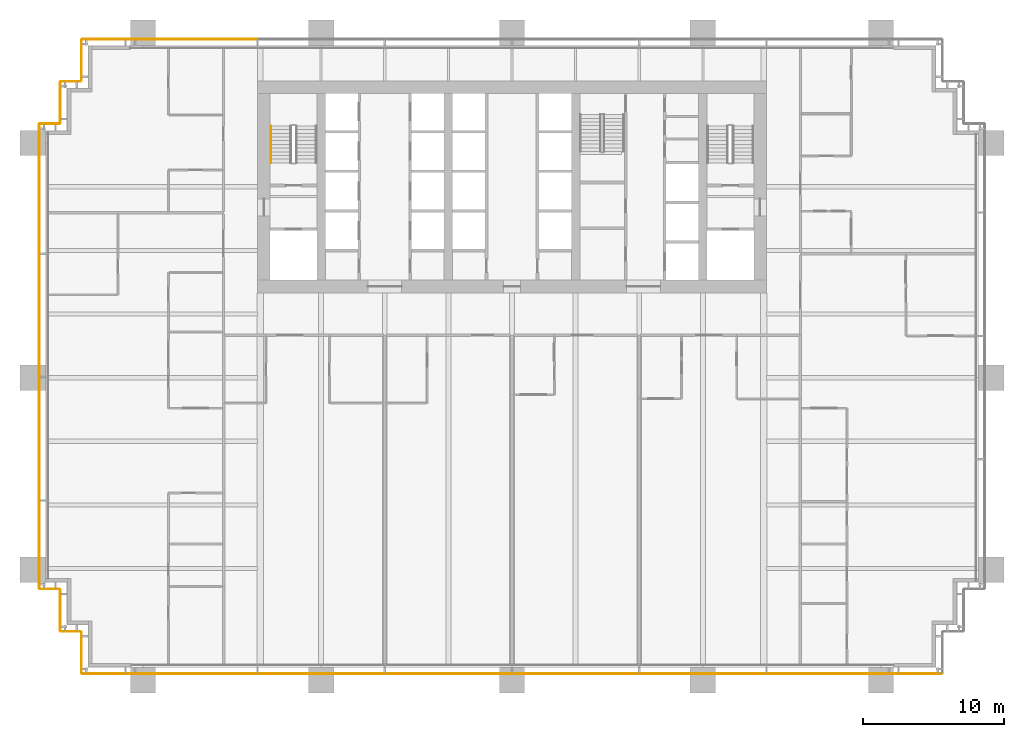
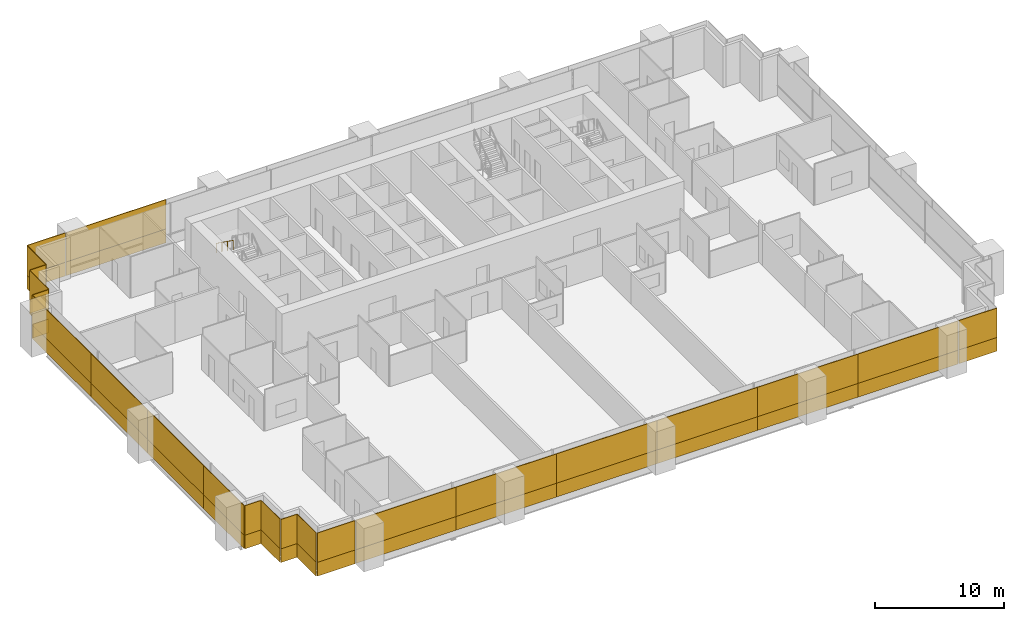
# One storey, part 18 of 20: 44 coverings, 1 railing.
"""IFC4 building model written with IfcOpenShell, lengths in metres."""

from ifc_helpers import new_model, si_unit, direction, frame, origin, origin_2d, place, context, subcontext, project, spatial, rectangle, extrude, material, layer, layer_set, type_object, element, save


model = new_model("IFC4")

# Units and contexts
model_context = context("Model", 3, precision=1e-05, world=origin(), true_north=direction((0.0, 1.0)))
body_context = subcontext(model_context, "Body", "Model", "MODEL_VIEW")
ifc_project = project(units=[si_unit("LENGTHUNIT", "METRE"), si_unit("AREAUNIT", "SQUARE_METRE"), si_unit("VOLUMEUNIT", "CUBIC_METRE"), si_unit("PLANEANGLEUNIT", "RADIAN"), si_unit("MASSUNIT", "GRAM", prefix="KILO")], contexts=[model_context])

# Site, building, storey
site_placement = place(None, origin())
site = spatial("IfcSite", under=ifc_project, at=site_placement, CompositionType="ELEMENT")
building_placement = place(site_placement, origin())
building = spatial("IfcBuilding", under=site, at=building_placement, Name="Rattan Terrace Tower", CompositionType="ELEMENT")
storey_placement = place(building_placement, frame((0.0, 0.0, 40.60009765625)))
storey = spatial("IfcBuildingStorey", under=building, at=storey_placement, Name="L08", CompositionType="ELEMENT", Elevation=40.60009765625)

# Railing
ifc_material_1 = material(Name="Powder-coated steel handrail", Category="steel")
railing_type = type_object("IfcRailingType", Name="Core stair handrail", PredefinedType="HANDRAIL", material=ifc_material_1)
railing_placement = place(storey_placement, frame((-17.050048828125, 4.300048828125, 2.236328125)))
element("IfcRailing", 1, at=railing_placement, inside=storey, type_object=railing_type, Name="L08 S1 stair handrail 2", PredefinedType="HANDRAIL", context=body_context, shape_type="SweptSolid", body=[
    extrude(rectangle(XDim=0.048095703125, YDim=0.048095703125, at=origin_2d()), frame((0.0, 0.0, 0.8759765625), z_axis=(0.0, -0.812799059333, 0.582544152102), x_axis=(1.0, 0.0, 0.0)), (0.0, 0.0, 1.0), 3.198974609375),
    extrude(rectangle(XDim=0.0419921875, YDim=0.0419921875, at=origin_2d()), origin(), (0.0, 0.0, 1.0), 0.851806640625),
    extrude(rectangle(XDim=0.0419921875, YDim=0.0419921875, at=origin_2d()), frame((0.0, -0.86669921875, 0.62109375)), (0.0, 0.0, 1.0), 0.851806640625),
    extrude(rectangle(XDim=0.0419921875, YDim=0.0419921875, at=origin_2d()), frame((0.0, -1.7333984375, 1.242431640625)), (0.0, 0.0, 1.0), 0.851806640625),
    extrude(rectangle(XDim=0.0419921875, YDim=0.0419921875, at=origin_2d()), frame((0.0, -2.60009765625, 1.863525390625)), (0.0, 0.0, 1.0), 0.851806640625),
])

# Coverings
ifc_material_2 = material(Name="Solid terracotta", Category="masonry")
ifc_layer_1 = layer(ifc_material_2, 0.06005859375)
ifc_layer_set_1 = layer_set([ifc_layer_1], Name="Facade Terracotta Band Panel")
covering_type_1 = type_object("IfcCoveringType", Name="Facade Terracotta Band Panel", PredefinedType="CLADDING", material=ifc_layer_set_1)
covering_1_placement = place(storey_placement, frame((28.72509765625, -34.449951171875, -0.18994140625), z_axis=(0.0, 0.0, 1.0), x_axis=(1.0, 0.0, 0.0)))
element("IfcCovering", 2, at=covering_1_placement, inside=storey, type_object=covering_type_1, Name="OUTER SKIN panel L08-1A", PredefinedType="CLADDING", context=body_context, shape_type="SweptSolid", body=[
    extrude(rectangle(XDim=3.3701171875, YDim=0.06005859375, at=origin_2d()), origin(), (0.0, 0.0, 1.0), 1.300048828125),
])
covering_2_placement = place(storey_placement, frame((-22.485107421875, 10.449951171875, -0.18994140625), z_axis=(0.0, 0.0, 1.0), x_axis=(-1.0, 0.0, 0.0)))
element("IfcCovering", 3, at=covering_2_placement, inside=storey, type_object=covering_type_1, Name="OUTER SKIN panel L08-20A", PredefinedType="CLADDING", context=body_context, shape_type="SweptSolid", body=[
    extrude(rectangle(XDim=8.949951171875, YDim=0.06005859375, at=origin_2d()), origin(), (0.0, 0.0, 1.0), 1.300048828125),
])
covering_3_placement = place(storey_placement, frame((-28.72509765625, 10.449951171875, -0.18994140625), z_axis=(0.0, 0.0, 1.0), x_axis=(-1.0, 0.0, 0.0)))
element("IfcCovering", 4, at=covering_3_placement, inside=storey, type_object=covering_type_1, Name="OUTER SKIN panel L08-21A", PredefinedType="CLADDING", context=body_context, shape_type="SweptSolid", body=[
    extrude(rectangle(XDim=3.3701171875, YDim=0.06005859375, at=origin_2d()), origin(), (0.0, 0.0, 1.0), 1.300048828125),
])
covering_4_placement = place(storey_placement, frame((-30.449951171875, 8.949951171875, -0.18994140625), z_axis=(0.0, 0.0, 1.0), x_axis=(0.0, -1.0, 0.0)))
element("IfcCovering", 5, at=covering_4_placement, inside=storey, type_object=covering_type_1, Name="OUTER SKIN panel L08-22A", PredefinedType="CLADDING", context=body_context, shape_type="SweptSolid", body=[
    extrude(rectangle(XDim=2.919921875, YDim=0.06005859375, at=origin_2d()), origin(), (0.0, 0.0, 1.0), 1.300048828125),
])
covering_5_placement = place(storey_placement, frame((-31.199951171875, 7.449951171875, -0.18994140625), z_axis=(0.0, 0.0, 1.0), x_axis=(-1.0, 0.0, 0.0)))
element("IfcCovering", 6, at=covering_5_placement, inside=storey, type_object=covering_type_1, Name="OUTER SKIN panel L08-23A", PredefinedType="CLADDING", context=body_context, shape_type="SweptSolid", body=[
    extrude(rectangle(XDim=1.419921875, YDim=0.06005859375, at=origin_2d()), origin(), (0.0, 0.0, 1.0), 1.300048828125),
])
covering_6_placement = place(storey_placement, frame((-31.949951171875, 5.949951171875, -0.18994140625), z_axis=(0.0, 0.0, 1.0), x_axis=(0.0, -1.0, 0.0)))
element("IfcCovering", 7, at=covering_6_placement, inside=storey, type_object=covering_type_1, Name="OUTER SKIN panel L08-24A", PredefinedType="CLADDING", context=body_context, shape_type="SweptSolid", body=[
    extrude(rectangle(XDim=2.919921875, YDim=0.06005859375, at=origin_2d()), origin(), (0.0, 0.0, 1.0), 1.300048828125),
])
covering_7_placement = place(storey_placement, frame((-32.699951171875, 4.449951171875, -0.18994140625), z_axis=(0.0, 0.0, 1.0), x_axis=(-1.0, 0.0, 0.0)))
element("IfcCovering", 8, at=covering_7_placement, inside=storey, type_object=covering_type_1, Name="OUTER SKIN panel L08-25A", PredefinedType="CLADDING", context=body_context, shape_type="SweptSolid", body=[
    extrude(rectangle(XDim=1.419921875, YDim=0.06005859375, at=origin_2d()), origin(), (0.0, 0.0, 1.0), 1.300048828125),
])
covering_8_placement = place(storey_placement, frame((-33.449951171875, -0.153564453125, -0.18994140625), z_axis=(0.0, 0.0, 1.0), x_axis=(0.0, -1.0, 0.0)))
element("IfcCovering", 9, at=covering_8_placement, inside=storey, type_object=covering_type_1, Name="OUTER SKIN panel L08-26A", PredefinedType="CLADDING", context=body_context, shape_type="SweptSolid", body=[
    extrude(rectangle(XDim=9.126953125, YDim=0.06005859375, at=origin_2d()), origin(), (0.0, 0.0, 1.0), 1.300048828125),
])
for number, where, z_axis, x_axis, name in (
    (10, (-33.449951171875, -9.090576171875, -0.18994140625), (0.0, 0.0, 1.0), (0.0, -1.0, 0.0), "OUTER SKIN panel L08-27A"),
    (11, (-33.449951171875, -17.8173828125, -0.18994140625), (0.0, 0.0, 1.0), (0.0, -1.0, 0.0), "OUTER SKIN panel L08-28A"),
):
    element("IfcCovering", number, at=place(storey_placement, frame(where, z_axis=z_axis, x_axis=x_axis)), inside=storey, type_object=covering_type_1, Name=name, PredefinedType="CLADDING", context=body_context, shape_type="SweptSolid", body=[
        extrude(rectangle(XDim=8.70703125, YDim=0.06005859375, at=origin_2d()), origin(), (0.0, 0.0, 1.0), 1.300048828125),
    ])
covering_9_placement = place(storey_placement, frame((-33.449951171875, -25.300537109375, -0.18994140625), z_axis=(0.0, 0.0, 1.0), x_axis=(0.0, -1.0, 0.0)))
element("IfcCovering", 12, at=covering_9_placement, inside=storey, type_object=covering_type_1, Name="OUTER SKIN panel L08-29A", PredefinedType="CLADDING", context=body_context, shape_type="SweptSolid", body=[
    extrude(rectangle(XDim=6.218994140625, YDim=0.06005859375, at=origin_2d()), origin(), (0.0, 0.0, 1.0), 1.300048828125),
])
covering_10_placement = place(storey_placement, frame((-32.699951171875, -28.449951171875, -0.18994140625), z_axis=(0.0, 0.0, 1.0), x_axis=(1.0, 0.0, 0.0)))
element("IfcCovering", 13, at=covering_10_placement, inside=storey, type_object=covering_type_1, Name="OUTER SKIN panel L08-30A", PredefinedType="CLADDING", context=body_context, shape_type="SweptSolid", body=[
    extrude(rectangle(XDim=1.419921875, YDim=0.06005859375, at=origin_2d()), origin(), (0.0, 0.0, 1.0), 1.300048828125),
])
covering_11_placement = place(storey_placement, frame((-31.949951171875, -29.949951171875, -0.18994140625), z_axis=(0.0, 0.0, 1.0), x_axis=(0.0, -1.0, 0.0)))
element("IfcCovering", 14, at=covering_11_placement, inside=storey, type_object=covering_type_1, Name="OUTER SKIN panel L08-31A", PredefinedType="CLADDING", context=body_context, shape_type="SweptSolid", body=[
    extrude(rectangle(XDim=2.919921875, YDim=0.06005859375, at=origin_2d()), origin(), (0.0, 0.0, 1.0), 1.300048828125),
])
covering_12_placement = place(storey_placement, frame((-31.199951171875, -31.449951171875, -0.18994140625), z_axis=(0.0, 0.0, 1.0), x_axis=(1.0, 0.0, 0.0)))
element("IfcCovering", 15, at=covering_12_placement, inside=storey, type_object=covering_type_1, Name="OUTER SKIN panel L08-32A", PredefinedType="CLADDING", context=body_context, shape_type="SweptSolid", body=[
    extrude(rectangle(XDim=1.419921875, YDim=0.06005859375, at=origin_2d()), origin(), (0.0, 0.0, 1.0), 1.300048828125),
])
covering_13_placement = place(storey_placement, frame((-30.449951171875, -32.949951171875, -0.18994140625), z_axis=(0.0, 0.0, 1.0), x_axis=(0.0, -1.0, 0.0)))
element("IfcCovering", 16, at=covering_13_placement, inside=storey, type_object=covering_type_1, Name="OUTER SKIN panel L08-33A", PredefinedType="CLADDING", context=body_context, shape_type="SweptSolid", body=[
    extrude(rectangle(XDim=2.919921875, YDim=0.06005859375, at=origin_2d()), origin(), (0.0, 0.0, 1.0), 1.300048828125),
])
covering_14_placement = place(storey_placement, frame((-28.72509765625, -34.449951171875, -0.18994140625), z_axis=(0.0, 0.0, 1.0), x_axis=(1.0, 0.0, 0.0)))
element("IfcCovering", 17, at=covering_14_placement, inside=storey, type_object=covering_type_1, Name="OUTER SKIN panel L08-34A", PredefinedType="CLADDING", context=body_context, shape_type="SweptSolid", body=[
    extrude(rectangle(XDim=3.3701171875, YDim=0.06005859375, at=origin_2d()), origin(), (0.0, 0.0, 1.0), 1.300048828125),
])
covering_15_placement = place(storey_placement, frame((-22.485107421875, -34.449951171875, -0.18994140625), z_axis=(0.0, 0.0, 1.0), x_axis=(1.0, 0.0, 0.0)))
element("IfcCovering", 18, at=covering_15_placement, inside=storey, type_object=covering_type_1, Name="OUTER SKIN panel L08-35A", PredefinedType="CLADDING", context=body_context, shape_type="SweptSolid", body=[
    extrude(rectangle(XDim=8.949951171875, YDim=0.06005859375, at=origin_2d()), origin(), (0.0, 0.0, 1.0), 1.300048828125),
])
for number, where, z_axis, x_axis, name in (
    (19, (-13.5, -34.449951171875, -0.18994140625), (0.0, 0.0, 1.0), (1.0, 0.0, 0.0), "OUTER SKIN panel L08-36A"),
    (20, (-4.5, -34.449951171875, -0.18994140625), (0.0, 0.0, 1.0), (1.0, 0.0, 0.0), "OUTER SKIN panel L08-37A"),
    (21, (4.5, -34.449951171875, -0.18994140625), (0.0, 0.0, 1.0), (1.0, 0.0, 0.0), "OUTER SKIN panel L08-38A"),
    (22, (13.5, -34.449951171875, -0.18994140625), (0.0, 0.0, 1.0), (1.0, 0.0, 0.0), "OUTER SKIN panel L08-39A"),
):
    element("IfcCovering", number, at=place(storey_placement, frame(where, z_axis=z_axis, x_axis=x_axis)), inside=storey, type_object=covering_type_1, Name=name, PredefinedType="CLADDING", context=body_context, shape_type="SweptSolid", body=[
        extrude(rectangle(XDim=8.97998046875, YDim=0.06005859375, at=origin_2d()), origin(), (0.0, 0.0, 1.0), 1.300048828125),
    ])
covering_16_placement = place(storey_placement, frame((22.485107421875, -34.449951171875, -0.18994140625), z_axis=(0.0, 0.0, 1.0), x_axis=(1.0, 0.0, 0.0)))
element("IfcCovering", 23, at=covering_16_placement, inside=storey, type_object=covering_type_1, Name="OUTER SKIN panel L08-40A", PredefinedType="CLADDING", context=body_context, shape_type="SweptSolid", body=[
    extrude(rectangle(XDim=8.949951171875, YDim=0.06005859375, at=origin_2d()), origin(), (0.0, 0.0, 1.0), 1.300048828125),
])
ifc_material_3 = material(Name="Perforated terracotta", Category="masonry")
ifc_layer_2 = layer(ifc_material_3, 0.06005859375)
ifc_layer_set_2 = layer_set([ifc_layer_2], Name="Facade Terracotta Screen Panel")
covering_type_2 = type_object("IfcCoveringType", Name="Facade Terracotta Screen Panel", PredefinedType="CLADDING", material=ifc_layer_set_2)
covering_17_placement = place(storey_placement, frame((28.72509765625, -34.449951171875, 1.10986328125), z_axis=(0.0, 0.0, 1.0), x_axis=(1.0, 0.0, 0.0)))
element("IfcCovering", 24, at=covering_17_placement, inside=storey, type_object=covering_type_2, Name="OUTER SKIN panel L08-1B", PredefinedType="CLADDING", context=body_context, shape_type="SweptSolid", body=[
    extrude(rectangle(XDim=3.3701171875, YDim=0.06005859375, at=origin_2d()), origin(), (0.0, 0.0, 1.0), 2.780029296875),
])
covering_18_placement = place(storey_placement, frame((-22.485107421875, 10.449951171875, 1.10986328125), z_axis=(0.0, 0.0, 1.0), x_axis=(-1.0, 0.0, 0.0)))
element("IfcCovering", 25, at=covering_18_placement, inside=storey, type_object=covering_type_2, Name="OUTER SKIN panel L08-20B", PredefinedType="CLADDING", context=body_context, shape_type="SweptSolid", body=[
    extrude(rectangle(XDim=8.949951171875, YDim=0.06005859375, at=origin_2d()), origin(), (0.0, 0.0, 1.0), 2.780029296875),
])
covering_19_placement = place(storey_placement, frame((-28.72509765625, 10.449951171875, 1.10986328125), z_axis=(0.0, 0.0, 1.0), x_axis=(-1.0, 0.0, 0.0)))
element("IfcCovering", 26, at=covering_19_placement, inside=storey, type_object=covering_type_2, Name="OUTER SKIN panel L08-21B", PredefinedType="CLADDING", context=body_context, shape_type="SweptSolid", body=[
    extrude(rectangle(XDim=3.3701171875, YDim=0.06005859375, at=origin_2d()), origin(), (0.0, 0.0, 1.0), 2.780029296875),
])
covering_20_placement = place(storey_placement, frame((-30.449951171875, 8.949951171875, 1.10986328125), z_axis=(0.0, 0.0, 1.0), x_axis=(0.0, -1.0, 0.0)))
element("IfcCovering", 27, at=covering_20_placement, inside=storey, type_object=covering_type_2, Name="OUTER SKIN panel L08-22B", PredefinedType="CLADDING", context=body_context, shape_type="SweptSolid", body=[
    extrude(rectangle(XDim=2.919921875, YDim=0.06005859375, at=origin_2d()), origin(), (0.0, 0.0, 1.0), 2.780029296875),
])
covering_21_placement = place(storey_placement, frame((-31.199951171875, 7.449951171875, 1.10986328125), z_axis=(0.0, 0.0, 1.0), x_axis=(-1.0, 0.0, 0.0)))
element("IfcCovering", 28, at=covering_21_placement, inside=storey, type_object=covering_type_2, Name="OUTER SKIN panel L08-23B", PredefinedType="CLADDING", context=body_context, shape_type="SweptSolid", body=[
    extrude(rectangle(XDim=1.419921875, YDim=0.06005859375, at=origin_2d()), origin(), (0.0, 0.0, 1.0), 2.780029296875),
])
covering_22_placement = place(storey_placement, frame((-31.949951171875, 5.949951171875, 1.10986328125), z_axis=(0.0, 0.0, 1.0), x_axis=(0.0, -1.0, 0.0)))
element("IfcCovering", 29, at=covering_22_placement, inside=storey, type_object=covering_type_2, Name="OUTER SKIN panel L08-24B", PredefinedType="CLADDING", context=body_context, shape_type="SweptSolid", body=[
    extrude(rectangle(XDim=2.919921875, YDim=0.06005859375, at=origin_2d()), origin(), (0.0, 0.0, 1.0), 2.780029296875),
])
covering_23_placement = place(storey_placement, frame((-32.699951171875, 4.449951171875, 1.10986328125), z_axis=(0.0, 0.0, 1.0), x_axis=(-1.0, 0.0, 0.0)))
element("IfcCovering", 30, at=covering_23_placement, inside=storey, type_object=covering_type_2, Name="OUTER SKIN panel L08-25B", PredefinedType="CLADDING", context=body_context, shape_type="SweptSolid", body=[
    extrude(rectangle(XDim=1.419921875, YDim=0.06005859375, at=origin_2d()), origin(), (0.0, 0.0, 1.0), 2.780029296875),
])
covering_24_placement = place(storey_placement, frame((-33.449951171875, -0.153564453125, 1.10986328125), z_axis=(0.0, 0.0, 1.0), x_axis=(0.0, -1.0, 0.0)))
element("IfcCovering", 31, at=covering_24_placement, inside=storey, type_object=covering_type_2, Name="OUTER SKIN panel L08-26B", PredefinedType="CLADDING", context=body_context, shape_type="SweptSolid", body=[
    extrude(rectangle(XDim=9.126953125, YDim=0.06005859375, at=origin_2d()), origin(), (0.0, 0.0, 1.0), 2.780029296875),
])
for number, where, z_axis, x_axis, name in (
    (32, (-33.449951171875, -9.090576171875, 1.10986328125), (0.0, 0.0, 1.0), (0.0, -1.0, 0.0), "OUTER SKIN panel L08-27B"),
    (33, (-33.449951171875, -17.8173828125, 1.10986328125), (0.0, 0.0, 1.0), (0.0, -1.0, 0.0), "OUTER SKIN panel L08-28B"),
):
    element("IfcCovering", number, at=place(storey_placement, frame(where, z_axis=z_axis, x_axis=x_axis)), inside=storey, type_object=covering_type_2, Name=name, PredefinedType="CLADDING", context=body_context, shape_type="SweptSolid", body=[
        extrude(rectangle(XDim=8.70703125, YDim=0.06005859375, at=origin_2d()), origin(), (0.0, 0.0, 1.0), 2.780029296875),
    ])
covering_25_placement = place(storey_placement, frame((-33.449951171875, -25.300537109375, 1.10986328125), z_axis=(0.0, 0.0, 1.0), x_axis=(0.0, -1.0, 0.0)))
element("IfcCovering", 34, at=covering_25_placement, inside=storey, type_object=covering_type_2, Name="OUTER SKIN panel L08-29B", PredefinedType="CLADDING", context=body_context, shape_type="SweptSolid", body=[
    extrude(rectangle(XDim=6.218994140625, YDim=0.06005859375, at=origin_2d()), origin(), (0.0, 0.0, 1.0), 2.780029296875),
])
covering_26_placement = place(storey_placement, frame((-32.699951171875, -28.449951171875, 1.10986328125), z_axis=(0.0, 0.0, 1.0), x_axis=(1.0, 0.0, 0.0)))
element("IfcCovering", 35, at=covering_26_placement, inside=storey, type_object=covering_type_2, Name="OUTER SKIN panel L08-30B", PredefinedType="CLADDING", context=body_context, shape_type="SweptSolid", body=[
    extrude(rectangle(XDim=1.419921875, YDim=0.06005859375, at=origin_2d()), origin(), (0.0, 0.0, 1.0), 2.780029296875),
])
covering_27_placement = place(storey_placement, frame((-31.949951171875, -29.949951171875, 1.10986328125), z_axis=(0.0, 0.0, 1.0), x_axis=(0.0, -1.0, 0.0)))
element("IfcCovering", 36, at=covering_27_placement, inside=storey, type_object=covering_type_2, Name="OUTER SKIN panel L08-31B", PredefinedType="CLADDING", context=body_context, shape_type="SweptSolid", body=[
    extrude(rectangle(XDim=2.919921875, YDim=0.06005859375, at=origin_2d()), origin(), (0.0, 0.0, 1.0), 2.780029296875),
])
covering_28_placement = place(storey_placement, frame((-31.199951171875, -31.449951171875, 1.10986328125), z_axis=(0.0, 0.0, 1.0), x_axis=(1.0, 0.0, 0.0)))
element("IfcCovering", 37, at=covering_28_placement, inside=storey, type_object=covering_type_2, Name="OUTER SKIN panel L08-32B", PredefinedType="CLADDING", context=body_context, shape_type="SweptSolid", body=[
    extrude(rectangle(XDim=1.419921875, YDim=0.06005859375, at=origin_2d()), origin(), (0.0, 0.0, 1.0), 2.780029296875),
])
covering_29_placement = place(storey_placement, frame((-30.449951171875, -32.949951171875, 1.10986328125), z_axis=(0.0, 0.0, 1.0), x_axis=(0.0, -1.0, 0.0)))
element("IfcCovering", 38, at=covering_29_placement, inside=storey, type_object=covering_type_2, Name="OUTER SKIN panel L08-33B", PredefinedType="CLADDING", context=body_context, shape_type="SweptSolid", body=[
    extrude(rectangle(XDim=2.919921875, YDim=0.06005859375, at=origin_2d()), origin(), (0.0, 0.0, 1.0), 2.780029296875),
])
covering_30_placement = place(storey_placement, frame((-28.72509765625, -34.449951171875, 1.10986328125), z_axis=(0.0, 0.0, 1.0), x_axis=(1.0, 0.0, 0.0)))
element("IfcCovering", 39, at=covering_30_placement, inside=storey, type_object=covering_type_2, Name="OUTER SKIN panel L08-34B", PredefinedType="CLADDING", context=body_context, shape_type="SweptSolid", body=[
    extrude(rectangle(XDim=3.3701171875, YDim=0.06005859375, at=origin_2d()), origin(), (0.0, 0.0, 1.0), 2.780029296875),
])
covering_31_placement = place(storey_placement, frame((-22.485107421875, -34.449951171875, 1.10986328125), z_axis=(0.0, 0.0, 1.0), x_axis=(1.0, 0.0, 0.0)))
element("IfcCovering", 40, at=covering_31_placement, inside=storey, type_object=covering_type_2, Name="OUTER SKIN panel L08-35B", PredefinedType="CLADDING", context=body_context, shape_type="SweptSolid", body=[
    extrude(rectangle(XDim=8.949951171875, YDim=0.06005859375, at=origin_2d()), origin(), (0.0, 0.0, 1.0), 2.780029296875),
])
for number, where, z_axis, x_axis, name in (
    (41, (-13.5, -34.449951171875, 1.10986328125), (0.0, 0.0, 1.0), (1.0, 0.0, 0.0), "OUTER SKIN panel L08-36B"),
    (42, (-4.5, -34.449951171875, 1.10986328125), (0.0, 0.0, 1.0), (1.0, 0.0, 0.0), "OUTER SKIN panel L08-37B"),
    (43, (4.5, -34.449951171875, 1.10986328125), (0.0, 0.0, 1.0), (1.0, 0.0, 0.0), "OUTER SKIN panel L08-38B"),
    (44, (13.5, -34.449951171875, 1.10986328125), (0.0, 0.0, 1.0), (1.0, 0.0, 0.0), "OUTER SKIN panel L08-39B"),
):
    element("IfcCovering", number, at=place(storey_placement, frame(where, z_axis=z_axis, x_axis=x_axis)), inside=storey, type_object=covering_type_2, Name=name, PredefinedType="CLADDING", context=body_context, shape_type="SweptSolid", body=[
        extrude(rectangle(XDim=8.97998046875, YDim=0.06005859375, at=origin_2d()), origin(), (0.0, 0.0, 1.0), 2.780029296875),
    ])
covering_32_placement = place(storey_placement, frame((22.485107421875, -34.449951171875, 1.10986328125), z_axis=(0.0, 0.0, 1.0), x_axis=(1.0, 0.0, 0.0)))
element("IfcCovering", 45, at=covering_32_placement, inside=storey, type_object=covering_type_2, Name="OUTER SKIN panel L08-40B", PredefinedType="CLADDING", context=body_context, shape_type="SweptSolid", body=[
    extrude(rectangle(XDim=8.949951171875, YDim=0.06005859375, at=origin_2d()), origin(), (0.0, 0.0, 1.0), 2.780029296875),
])

save(model, "model.ifc")
